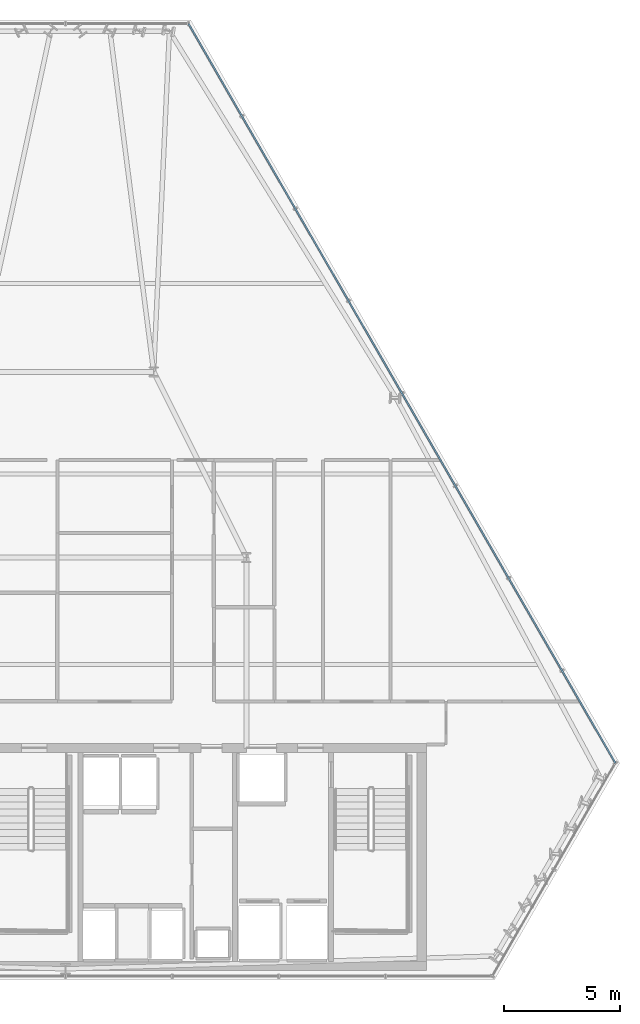
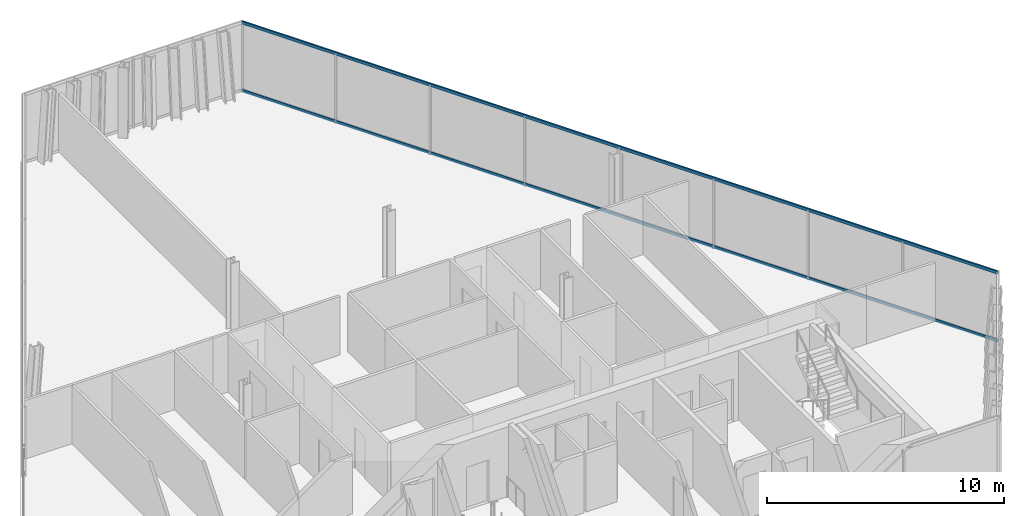
# One storey, part 19 of 33: 2 members, 1 element without a shape of its own.
"""IFC4 building model written with IfcOpenShell, lengths in metres."""

from ifc_helpers import new_model, si_unit, direction, frame, origin, origin_2d, place, context, subcontext, project, spatial, hollow_rectangle, extrude, material, layer, layer_set, material_profile, profile_set, type_object, element, aggregate, save


model = new_model("IFC4")

# Units and contexts
model_context = context("Model", 3, precision=1e-05, world=origin(), true_north=direction((0.0, 1.0)))
body_context = subcontext(model_context, "Body", "Model", "MODEL_VIEW")
ifc_project = project(units=[si_unit("LENGTHUNIT", "METRE"), si_unit("AREAUNIT", "SQUARE_METRE"), si_unit("VOLUMEUNIT", "CUBIC_METRE"), si_unit("PLANEANGLEUNIT", "RADIAN"), si_unit("MASSUNIT", "GRAM", prefix="KILO")], contexts=[model_context])

# Site, building, storey
site_placement = place(None, origin())
site = spatial("IfcSite", under=ifc_project, at=site_placement, CompositionType="ELEMENT")
building_placement = place(site_placement, origin())
building = spatial("IfcBuilding", under=site, at=building_placement, Name="Ndaravel Arena Tower", CompositionType="ELEMENT")
storey_placement = place(building_placement, frame((0.0, 0.0, 168.800048828125)))
storey = spatial("IfcBuildingStorey", under=building, at=storey_placement, Name="L40", CompositionType="ELEMENT", Elevation=168.800048828125)

# Curtain wall, members
ifc_material_1 = material(Name="Aluminium", Category="aluminium")
ifc_layer = layer(ifc_material_1, 0.179931640625)
ifc_layer_set = layer_set([ifc_layer], Name="Aluminium")
curtain_wall_type = type_object("IfcCurtainWallType", Name="CW-SYS-03", PredefinedType="NOTDEFINED", material=ifc_layer_set)
curtain_wall_placement = place(storey_placement, origin())
curtain_wall = element("IfcCurtainWall", 1, at=curtain_wall_placement, inside=storey, type_object=curtain_wall_type, Name="L40 Faceted Crystal Curtain Wall CW-L40-E03", PredefinedType="NOTDEFINED")
ifc_material_2 = material(Name="Aluminium", Category="aluminium")
ifc_material_profile = material_profile(ifc_material_2, hollow_rectangle(XDim=0.074951171875, YDim=0.14990234375, WallThickness=0.00390625, at=origin_2d()), Name="CW TRANSOM 75x150x4")
ifc_profile_set = profile_set([ifc_material_profile], Name="Aluminium")
member_type = type_object("IfcMemberType", Name="MEM-CW-TRN150", PredefinedType="USERDEFINED", material=ifc_profile_set)
member_1_placement = place(storey_placement, frame((65.6953125, 14.348388671875, 0.0400390625), z_axis=(-0.499997675288, 0.866026745954, 0.0), x_axis=(-0.866026745954, -0.499997675288, 0.0)))
member_1 = element("IfcMember", 2, at=member_1_placement, type_object=member_type, Name="CW-L40-E03 Transom 01", ObjectType="TRANSOM", PredefinedType="USERDEFINED", context=body_context, shape_type="SweptSolid", body=[
    extrude(hollow_rectangle(XDim=0.074951171875, YDim=0.14990234375, WallThickness=0.00390625, at=origin_2d()), origin(), (0.0, 0.0, 1.0), 36.781005859375),
])
member_2_placement = place(storey_placement, frame((65.6953125, 14.348388671875, 3.5400390625), z_axis=(-0.499997675288, 0.866026745954, 0.0), x_axis=(-0.866026745954, -0.499997675288, 0.0)))
member_2 = element("IfcMember", 3, at=member_2_placement, type_object=member_type, Name="CW-L40-E03 Transom 02", ObjectType="TRANSOM", PredefinedType="USERDEFINED", context=body_context, shape_type="SweptSolid", body=[
    extrude(hollow_rectangle(XDim=0.074951171875, YDim=0.14990234375, WallThickness=0.00390625, at=origin_2d()), origin(), (0.0, 0.0, 1.0), 36.781005859375),
])
aggregate(curtain_wall, [member_1, member_2])

save(model, "model.ifc")
